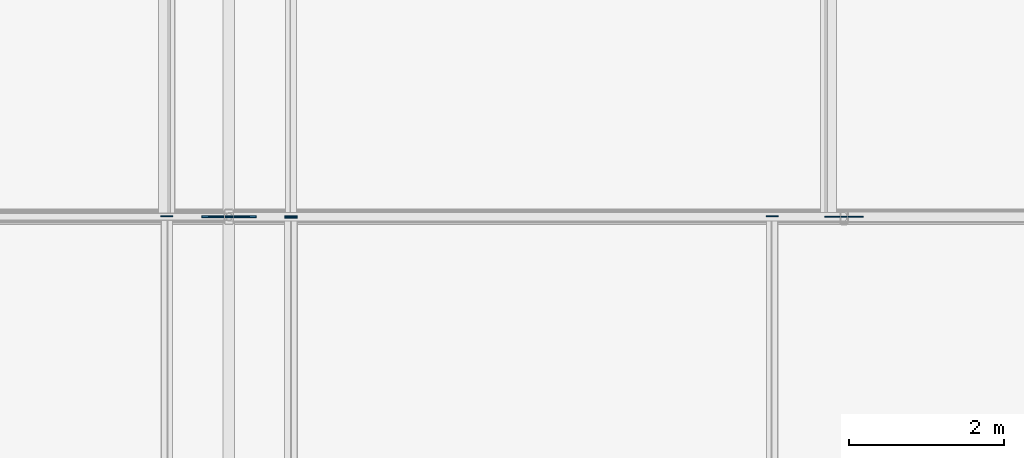
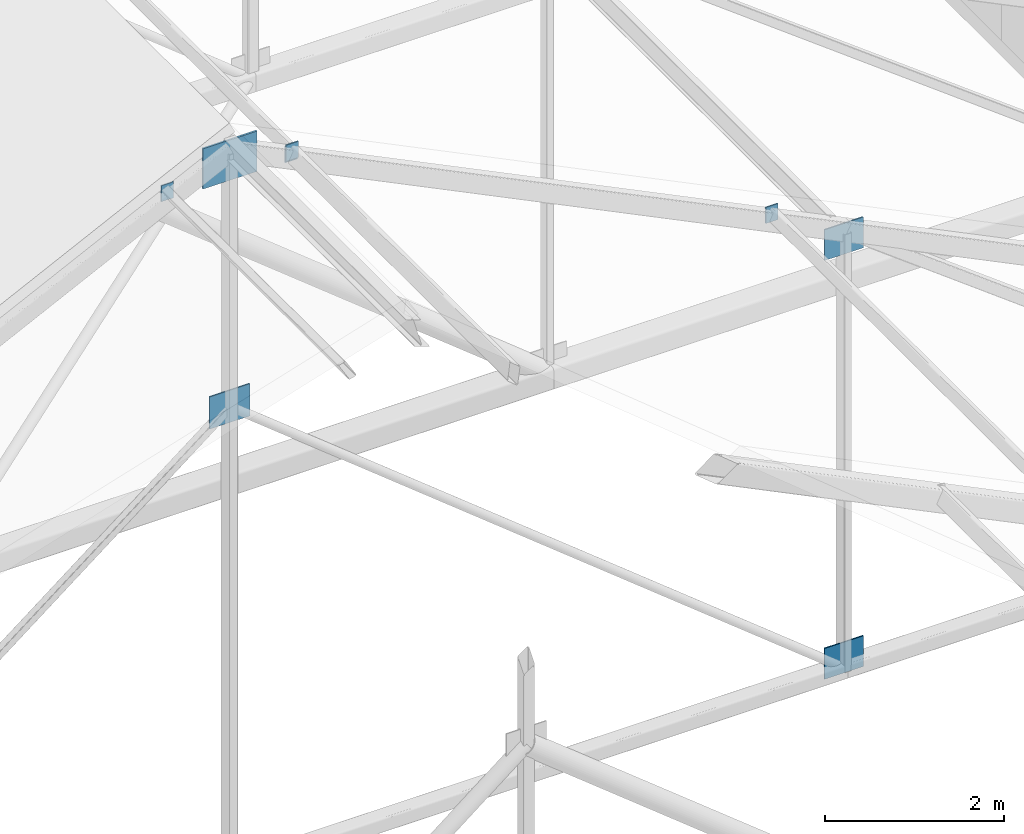
# One storey, part 40 of 78: 8 plates.
"""IFC4 building model written with IfcOpenShell, lengths in metres."""

from ifc_helpers import new_model, si_unit, direction, frame, origin, origin_2d, place, context, subcontext, project, spatial, rectangle, extrude, material, layer, layer_set, type_object, element, save


model = new_model("IFC4")

# Units and contexts
model_context = context("Model", 3, precision=1e-05, world=origin(), true_north=direction((0.0, 1.0)))
body_context = subcontext(model_context, "Body", "Model", "MODEL_VIEW")
ifc_project = project(units=[si_unit("LENGTHUNIT", "METRE"), si_unit("AREAUNIT", "SQUARE_METRE"), si_unit("VOLUMEUNIT", "CUBIC_METRE"), si_unit("PLANEANGLEUNIT", "RADIAN"), si_unit("MASSUNIT", "GRAM", prefix="KILO")], contexts=[model_context])

# Site, building, storey
site_placement = place(None, origin())
site = spatial("IfcSite", under=ifc_project, at=site_placement, CompositionType="ELEMENT")
building_placement = place(site_placement, origin())
building = spatial("IfcBuilding", under=site, at=building_placement, Name="Kelanivale Promenade Academy", CompositionType="ELEMENT")
storey_placement = place(building_placement, frame((0.0, 0.0, 16.199951171875)))
storey = spatial("IfcBuildingStorey", under=building, at=storey_placement, Name="L04", CompositionType="ELEMENT", Elevation=16.199951171875)

# Plates
ifc_material = material(Name="Steel S355", Category="steel")
ifc_layer_1 = layer(ifc_material, 0.01611328125)
ifc_layer_set_1 = layer_set([ifc_layer_1], Name="Steel S355")
plate_type_1 = type_object("IfcPlateType", Name="TN-CP16 Plate 16mm", PredefinedType="USERDEFINED", material=ifc_layer_set_1)
for number, where, z_axis, x_axis, name in (
    (1, (18.800048828125, 46.264892578125, 9.63330078125), (0.0, 0.0, 1.0), (0.0, 1.0, 0.0), "ROOF TRUSS TN-4 hollow-section end cap plate"),
    (2, (20.39990234375, 46.264892578125, 9.60498046875), (0.0, 0.0, 1.0), (0.0, 1.0, 0.0), "ROOF TRUSS TN-4 hollow-section end cap plate"),
    (3, (26.60009765625, 46.264892578125, 6.60498046875), (0.0, 0.0, 1.0), (0.0, 1.0, 0.0), "ROOF TRUSS TN-4 hollow-section end cap plate"),
    (4, (20.39990234375, 46.2490234375, 9.63330078125), (0.0, 0.0, 1.0), (0.0, -1.0, 0.0), "ROOF TRUSS TN-4 hollow-section end cap plate"),
):
    element("IfcPlate", number, at=place(storey_placement, frame(where, z_axis=z_axis, x_axis=x_axis)), inside=storey, type_object=plate_type_1, Name=name, ObjectType="CAP PLATE", PredefinedType="USERDEFINED", context=body_context, shape_type="SweptSolid", body=[
        extrude(rectangle(XDim=0.01611328125, YDim=0.159912109375, at=origin_2d()), origin(), (0.0, 0.0, 1.0), 0.219970703125),
    ])
ifc_layer_2 = layer(ifc_material, 0.01611328125)
ifc_layer_set_2 = layer_set([ifc_layer_2], Name="Steel S355")
plate_type_2 = type_object("IfcPlateType", Name="TN-GP16 Plate 16mm", PredefinedType="USERDEFINED", material=ifc_layer_set_2)
plate_1_placement = place(storey_placement, frame((19.60009765625, 46.257080078125, 6.320068359375), z_axis=(0.0, 0.0, 1.0), x_axis=(1.0, 0.0, 0.0)))
element("IfcPlate", 5, at=plate_1_placement, inside=storey, type_object=plate_type_2, Name="ROOF TRUSS TN-2D welded node gusset plate", ObjectType="GUSSET PLATE", PredefinedType="USERDEFINED", context=body_context, shape_type="SweptSolid", body=[
    extrude(rectangle(XDim=0.52001953125, YDim=0.01611328125, at=origin_2d()), origin(), (0.0, 0.0, 1.0), 0.43994140625),
])
for number, where, z_axis, x_axis, name in (
    (6, (27.52490234375, 46.257080078125, 0.130126953125), (0.0, 0.0, 1.0), (1.0, 0.0, 0.0), "ROOF TRUSS TN-3E welded node gusset plate"),
    (7, (27.52490234375, 46.257080078125, 5.842041015625), (0.0, 0.0, 1.0), (1.0, 0.0, 0.0), "ROOF TRUSS TN-4E welded node gusset plate"),
):
    element("IfcPlate", number, at=place(storey_placement, frame(where, z_axis=z_axis, x_axis=x_axis)), inside=storey, type_object=plate_type_2, Name=name, ObjectType="GUSSET PLATE", PredefinedType="USERDEFINED", context=body_context, shape_type="SweptSolid", body=[
        extrude(rectangle(XDim=0.5, YDim=0.01611328125, at=origin_2d()), origin(), (0.0, 0.0, 1.0), 0.419921875),
    ])
ifc_layer_3 = layer(ifc_material, 0.02490234375)
ifc_layer_set_3 = layer_set([ifc_layer_3], Name="Steel S355")
plate_type_3 = type_object("IfcPlateType", Name="TN-GP25 Plate 25mm", PredefinedType="USERDEFINED", material=ifc_layer_set_3)
plate_2_placement = place(storey_placement, frame((19.60009765625, 46.257080078125, 9.626953125), z_axis=(0.0, 0.0, 1.0), x_axis=(1.0, 0.0, 0.0)))
element("IfcPlate", 8, at=plate_2_placement, inside=storey, type_object=plate_type_3, Name="ROOF TRUSS TN-2 welded node gusset plate", ObjectType="GUSSET PLATE", PredefinedType="USERDEFINED", context=body_context, shape_type="SweptSolid", body=[
    extrude(rectangle(XDim=0.699951171875, YDim=0.02490234375, at=origin_2d()), origin(), (0.0, 0.0, 1.0), 0.550048828125),
])

save(model, "model.ifc")
